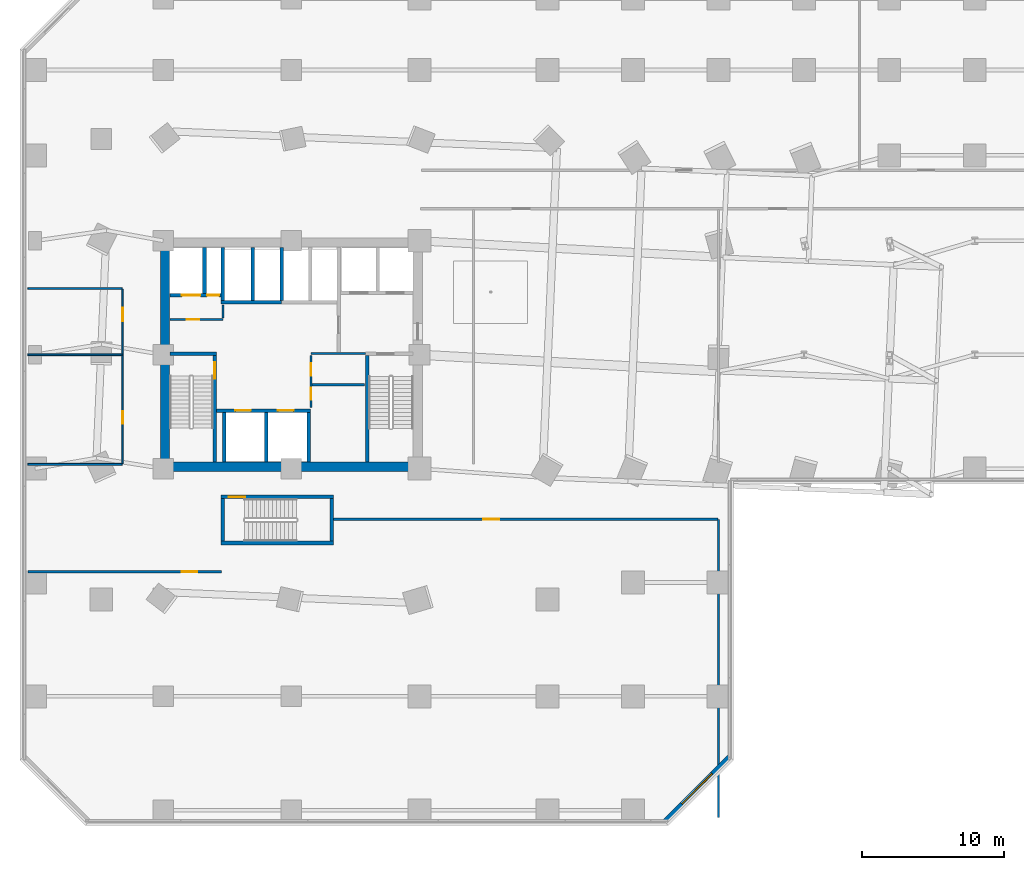
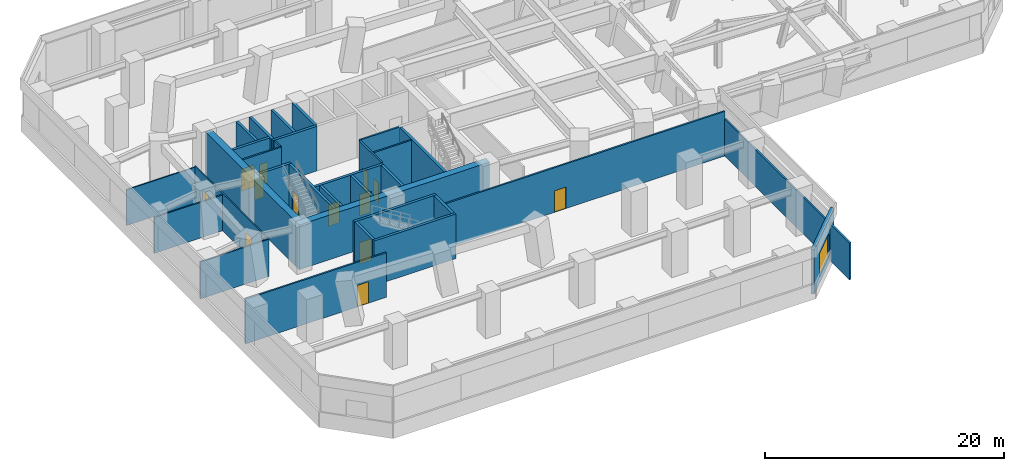
# One storey, part 4 of 14: 32 walls, 13 doors, 1 window, 14 openings.
"""IFC4 building model written with IfcOpenShell, lengths in metres."""

from ifc_helpers import new_model, si_unit, direction, frame, frame_2d, origin, place, context, subcontext, project, spatial, rectangle, extrude, source, transform, mapped, material, layer, layer_set, type_object, element, fill, save


model = new_model("IFC4")

# Units and contexts
model_context = context("Model", 3, precision=1e-05, world=origin(), true_north=direction((0.0, 1.0)))
body_context = subcontext(model_context, "Body", "Model", "MODEL_VIEW")
ifc_project = project(units=[si_unit("LENGTHUNIT", "METRE"), si_unit("AREAUNIT", "SQUARE_METRE"), si_unit("VOLUMEUNIT", "CUBIC_METRE"), si_unit("PLANEANGLEUNIT", "RADIAN"), si_unit("MASSUNIT", "GRAM", prefix="KILO")], contexts=[model_context])

# Site, building, storey
site_placement = place(None, origin())
site = spatial("IfcSite", under=ifc_project, at=site_placement, CompositionType="ELEMENT")
building_placement = place(site_placement, origin())
building = spatial("IfcBuilding", under=site, at=building_placement, Name="Torre Montelarca", CompositionType="ELEMENT")
storey_placement = place(building_placement, frame((0.0, 0.0, 28.0)))
storey = spatial("IfcBuildingStorey", under=building, at=storey_placement, Name="L06", CompositionType="ELEMENT", Elevation=28.0)

# Wall, opening, door
ifc_material_1 = material(Name="Concrete C40/50", Category="concrete")
ifc_layer_1 = layer(ifc_material_1, 0.25, Name="Concrete C40/50", Category="concrete")
ifc_layer_set_1 = layer_set([ifc_layer_1], Name="Concrete C40/50")
wall_type_1 = type_object("IfcWallType", Name="CW-SHAFT-250", PredefinedType="SHEAR", material=ifc_layer_set_1)
wall_1_placement = place(storey_placement, frame((12.625, 24.4599609375, 0.0), z_axis=(0.0, 0.0, 1.0), x_axis=(0.0, 1.0, 0.0)))
wall_1 = element("IfcWall", 1, at=wall_1_placement, inside=storey, type_object=wall_type_1, Name="L06 Core Shear Wall SH-ST1-E", PredefinedType="SHEAR", context=body_context, shape_type="SweptSolid", body=[
    extrude(rectangle(XDim=7.489990234375, YDim=0.25, at=frame_2d((3.7451171875, 0.0))), origin(), (0.0, 0.0, 1.0), 4.56005859375),
])
opening_1_placement = place(wall_1_placement, frame((5.85009765625, 0.0, 0.0)))
opening_1 = element("IfcOpeningElement", 2, at=opening_1_placement, cuts=wall_1, Name="Opening FD-ST1", PredefinedType="OPENING", context=body_context, shape_type="SweptSolid", body=[
    extrude(rectangle(XDim=1.14990234375, YDim=2.199951171875, at=frame_2d((0.574951171875, 1.10009765625))), frame((0.0, 0.135009765625, 0.0), z_axis=(0.0, -1.0, 0.0), x_axis=(1.0, 0.0, 0.0)), (0.0, 0.0, 1.0), 0.27001953125),
])
ifc_material_2 = material(Name="Galvanized steel fire door", Category="steel")
door_type_1 = type_object("IfcDoorType", Name="DR-STAIR-115", OperationType="NOTDEFINED", PredefinedType="DOOR", material=ifc_material_2)
shared_shape_1 = source(origin(), body_context, "Body", "SweptSolid", [
    extrude(rectangle(XDim=1.14990234375, YDim=2.199951171875, at=frame_2d((0.574951171875, 1.10009765625))), frame((0.0, 0.02490234375, 0.0), z_axis=(0.0, -1.0, 0.0), x_axis=(1.0, 0.0, 0.0)), (0.0, 0.0, 1.0), 0.050048828125),
])
door_1_placement = place(opening_1_placement, origin())
door_1 = element("IfcDoor", 3, at=door_1_placement, inside=storey, type_object=door_type_1, Name="L06 Exit Stair ST1 Fire Door", OperationType="SINGLE_SWING_RIGHT", OverallHeight=2.199951171875, OverallWidth=1.14990234375, PredefinedType="DOOR", context=body_context, shape_type="MappedRepresentation", body=[
    mapped(shared_shape_1, transform((0.0, 0.0, 0.0), scale=1.0)),
])
fill(opening_1, door_1)

# Walls
wall_2_placement = place(storey_placement, frame((9.4599609375, 32.074951171875, 0.0), z_axis=(0.0, 0.0, 1.0), x_axis=(1.0, 0.0, 0.0)))
element("IfcWall", 4, at=wall_2_placement, inside=storey, type_object=wall_type_1, Name="L06 Core Shear Wall SH-ST1-N", PredefinedType="SHEAR", context=body_context, shape_type="SweptSolid", body=[
    extrude(rectangle(XDim=3.2900390625, YDim=0.25, at=frame_2d((1.64501953125, 0.0))), origin(), (0.0, 0.0, 1.0), 4.56005859375),
])
wall_3_placement = place(storey_placement, frame((23.31494140625, 24.4599609375, 0.0), z_axis=(0.0, 0.0, 1.0), x_axis=(0.0, 1.0, 0.0)))
element("IfcWall", 5, at=wall_3_placement, inside=storey, type_object=wall_type_1, Name="L06 Core Shear Wall SH-ST2-W", PredefinedType="SHEAR", context=body_context, shape_type="SweptSolid", body=[
    extrude(rectangle(XDim=7.489990234375, YDim=0.25, at=frame_2d((3.7451171875, 0.0))), origin(), (0.0, 0.0, 1.0), 4.56005859375),
])

# Wall, openings, doors
wall_4_placement = place(storey_placement, frame((9.4599609375, 36.179931640625, 0.0), z_axis=(0.0, 0.0, 1.0), x_axis=(1.0, 0.0, 0.0)))
wall_4 = element("IfcWall", 6, at=wall_4_placement, inside=storey, type_object=wall_type_1, Name="L06 Core Shear Wall SH-SV1-S", PredefinedType="SHEAR", context=body_context, shape_type="SweptSolid", body=[
    extrude(rectangle(XDim=3.7900390625, YDim=0.25, at=frame_2d((1.89501953125, 0.0))), origin(), (0.0, 0.0, 1.0), 4.56005859375),
])
opening_2_placement = place(wall_4_placement, frame((2.6201171875, 0.0, 0.0)))
opening_2 = element("IfcOpeningElement", 7, at=opening_2_placement, cuts=wall_4, Name="Opening FD-085", PredefinedType="OPENING", context=body_context, shape_type="SweptSolid", body=[
    extrude(rectangle(XDim=0.85009765625, YDim=2.10009765625, at=frame_2d((0.425048828125, 1.050048828125))), frame((0.0, 0.135009765625, 0.0), z_axis=(0.0, -1.0, 0.0), x_axis=(1.0, 0.0, 0.0)), (0.0, 0.0, 1.0), 0.27001953125),
])
opening_3_placement = place(wall_4_placement, frame((0.85009765625, 0.0, 0.0)))
opening_3 = element("IfcOpeningElement", 8, at=opening_3_placement, cuts=wall_4, Name="Opening LD-130", PredefinedType="OPENING", context=body_context, shape_type="SweptSolid", body=[
    extrude(rectangle(XDim=1.300048828125, YDim=2.25, at=frame_2d((0.64990234375, 1.125))), frame((0.0, 0.135009765625, 0.0), z_axis=(0.0, -1.0, 0.0), x_axis=(1.0, 0.0, 0.0)), (0.0, 0.0, 1.0), 0.27001953125),
])
ifc_material_3 = material(Name="Steel riser access fire door", Category="steel")
door_type_2 = type_object("IfcDoorType", Name="DR-RISER-085", OperationType="NOTDEFINED", PredefinedType="DOOR", material=ifc_material_3)
shared_shape_2 = source(origin(), body_context, "Body", "SweptSolid", [
    extrude(rectangle(XDim=0.85009765625, YDim=2.10009765625, at=frame_2d((0.425048828125, 1.050048828125))), frame((0.0, 0.02490234375, 0.0), z_axis=(0.0, -1.0, 0.0), x_axis=(1.0, 0.0, 0.0)), (0.0, 0.0, 1.0), 0.050048828125),
])
door_2_placement = place(opening_2_placement, origin())
door_2 = element("IfcDoor", 9, at=door_2_placement, inside=storey, type_object=door_type_2, Name="L06 Electrical Riser Shaft Access Door", OperationType="SINGLE_SWING_RIGHT", OverallHeight=2.10009765625, OverallWidth=0.85009765625, PredefinedType="DOOR", context=body_context, shape_type="MappedRepresentation", body=[
    mapped(shared_shape_2, transform((0.0, 0.0, 0.0), scale=1.0)),
])
fill(opening_2, door_2)
ifc_material_4 = material(Name="Brushed stainless steel AISI 316", Category="steel")
door_type_3 = type_object("IfcDoorType", Name="DR-LIFT-130", OperationType="SLIDING_TO_LEFT", PredefinedType="DOOR", material=ifc_material_4)
shared_shape_3 = source(origin(), body_context, "Body", "SweptSolid", [
    extrude(rectangle(XDim=1.300048828125, YDim=2.25, at=frame_2d((0.64990234375, 1.125))), frame((0.0, 0.02490234375, 0.0), z_axis=(0.0, -1.0, 0.0), x_axis=(1.0, 0.0, 0.0)), (0.0, 0.0, 1.0), 0.050048828125),
])
door_3_placement = place(opening_3_placement, origin())
door_3 = element("IfcDoor", 10, at=door_3_placement, inside=storey, type_object=door_type_3, Name="L06 Lift Landing Sliding Door SV-1", OperationType="SLIDING_TO_LEFT", OverallHeight=2.25, OverallWidth=1.300048828125, PredefinedType="DOOR", context=body_context, shape_type="MappedRepresentation", body=[
    mapped(shared_shape_3, transform((0.0, 0.0, 0.0), scale=1.0)),
])
fill(opening_3, door_3)

# Wall
wall_5_placement = place(storey_placement, frame((11.89990234375, 36.31005859375, 0.0), z_axis=(0.0, 0.0, 1.0), x_axis=(0.0, 1.0, 0.0)))
element("IfcWall", 11, at=wall_5_placement, inside=storey, type_object=wall_type_1, Name="L06 Core Shear Wall SH-SV1-E", PredefinedType="SHEAR", context=body_context, shape_type="SweptSolid", body=[
    extrude(rectangle(XDim=3.22998046875, YDim=0.25, at=frame_2d((1.614990234375, 0.0))), origin(), (0.0, 0.0, 1.0), 4.56005859375),
])

# Wall, openings, doors
wall_6_placement = place(storey_placement, frame((12.6298828125, 28.080078125, 0.0), z_axis=(0.0, 0.0, 1.0), x_axis=(1.0, 0.0, 0.0)))
wall_6 = element("IfcWall", 12, at=wall_6_placement, inside=storey, type_object=wall_type_1, Name="L06 Core Shear Wall SH-PLL-N", PredefinedType="SHEAR", context=body_context, shape_type="SweptSolid", body=[
    extrude(rectangle(XDim=6.710205078125, YDim=0.25, at=frame_2d((3.35498046875, 0.0))), origin(), (0.0, 0.0, 1.0), 4.56005859375),
])
opening_4_placement = place(wall_6_placement, frame((1.429931640625, 0.0, 0.0)))
opening_4 = element("IfcOpeningElement", 13, at=opening_4_placement, cuts=wall_6, Name="Opening LD-110", PredefinedType="OPENING", context=body_context, shape_type="SweptSolid", body=[
    extrude(rectangle(XDim=1.10009765625, YDim=2.199951171875, at=frame_2d((0.550048828125, 1.10009765625))), frame((0.0, 0.135009765625, 0.0), z_axis=(0.0, -1.0, 0.0), x_axis=(1.0, 0.0, 0.0)), (0.0, 0.0, 1.0), 0.27001953125),
])
opening_5_placement = place(wall_6_placement, frame((4.429931640625, 0.0, 0.0)))
opening_5 = element("IfcOpeningElement", 14, at=opening_5_placement, cuts=wall_6, Name="Opening LD-110", PredefinedType="OPENING", context=body_context, shape_type="SweptSolid", body=[
    extrude(rectangle(XDim=1.10009765625, YDim=2.199951171875, at=frame_2d((0.550048828125, 1.10009765625))), frame((0.0, 0.135009765625, 0.0), z_axis=(0.0, -1.0, 0.0), x_axis=(1.0, 0.0, 0.0)), (0.0, 0.0, 1.0), 0.27001953125),
])
door_type_4 = type_object("IfcDoorType", Name="DR-LIFT-110", OperationType="SLIDING_TO_LEFT", PredefinedType="DOOR", material=ifc_material_4)
shared_shape_4 = source(origin(), body_context, "Body", "SweptSolid", [
    extrude(rectangle(XDim=1.10009765625, YDim=2.199951171875, at=frame_2d((0.550048828125, 1.10009765625))), frame((0.0, 0.02490234375, 0.0), z_axis=(0.0, -1.0, 0.0), x_axis=(1.0, 0.0, 0.0)), (0.0, 0.0, 1.0), 0.050048828125),
])
door_4_placement = place(opening_4_placement, origin())
door_4 = element("IfcDoor", 15, at=door_4_placement, inside=storey, type_object=door_type_4, Name="L06 Lift Landing Sliding Door PL-L1", OperationType="SLIDING_TO_LEFT", OverallHeight=2.199951171875, OverallWidth=1.10009765625, PredefinedType="DOOR", context=body_context, shape_type="MappedRepresentation", body=[
    mapped(shared_shape_4, transform((0.0, 0.0, 0.0), scale=1.0)),
])
fill(opening_4, door_4)
door_5_placement = place(opening_5_placement, origin())
door_5 = element("IfcDoor", 16, at=door_5_placement, inside=storey, type_object=door_type_4, Name="L06 Lift Landing Sliding Door PL-L2", OperationType="SLIDING_TO_RIGHT", OverallHeight=2.199951171875, OverallWidth=1.10009765625, PredefinedType="DOOR", context=body_context, shape_type="MappedRepresentation", body=[
    mapped(shared_shape_4, transform((0.0, 0.0, 0.0), scale=1.0)),
])
fill(opening_5, door_5)

# Walls
for number, where, z_axis, x_axis, name in (
    (17, (13.280029296875, 24.4599609375, 0.0), (0.0, 0.0, 1.0), (0.0, 1.0, 0.0), "L06 Core Shear Wall SH-PLL-W"),
    (18, (16.25, 24.4599609375, 0.0), (0.0, 0.0, 1.0), (0.0, 1.0, 0.0), "L06 Core Shear Wall SH-PLL-M"),
    (19, (19.219970703125, 24.4599609375, 0.0), (0.0, 0.0, 1.0), (0.0, 1.0, 0.0), "L06 Core Shear Wall SH-PLL-E"),
):
    element("IfcWall", number, at=place(storey_placement, frame(where, z_axis=z_axis, x_axis=x_axis)), inside=storey, type_object=wall_type_1, Name=name, PredefinedType="SHEAR", context=body_context, shape_type="SweptSolid", body=[
        extrude(rectangle(XDim=3.489990234375, YDim=0.25, at=frame_2d((1.7451171875, 0.0))), origin(), (0.0, 0.0, 1.0), 4.56005859375),
    ])
wall_7_placement = place(storey_placement, frame((13.06005859375, 35.679931640625, 0.0), z_axis=(0.0, 0.0, 1.0), x_axis=(1.0, 0.0, 0.0)))
element("IfcWall", 20, at=wall_7_placement, inside=storey, type_object=wall_type_1, Name="L06 Core Shear Wall SH-PLM-S", PredefinedType="SHEAR", context=body_context, shape_type="SweptSolid", body=[
    extrude(rectangle(XDim=4.25, YDim=0.25, at=frame_2d((2.125, 0.0))), origin(), (0.0, 0.0, 1.0), 4.56005859375),
])
for number, where, z_axis, x_axis, name in (
    (21, (13.179931640625, 35.81005859375, 0.0), (0.0, 0.0, 1.0), (0.0, 1.0, 0.0), "L06 Core Shear Wall SH-PLM-W"),
    (22, (15.280029296875, 35.81005859375, 0.0), (0.0, 0.0, 1.0), (0.0, 1.0, 0.0), "L06 Core Shear Wall SH-PLM-M"),
    (23, (17.320068359375, 35.81005859375, 0.0), (0.0, 0.0, 1.0), (0.0, 1.0, 0.0), "L06 Core Shear Wall SH-PLH-W"),
):
    element("IfcWall", number, at=place(storey_placement, frame(where, z_axis=z_axis, x_axis=x_axis)), inside=storey, type_object=wall_type_1, Name=name, PredefinedType="SHEAR", context=body_context, shape_type="SweptSolid", body=[
        extrude(rectangle(XDim=3.72998046875, YDim=0.25, at=frame_2d((1.864990234375, 0.0))), origin(), (0.0, 0.0, 1.0), 4.56005859375),
    ])
for number, where, z_axis, x_axis, name in (
    (24, (13.175048828125, 18.89990234375, 0.0), (0.0, 0.0, 1.0), (0.0, 1.0, 0.0), "L06 Core Shear Wall SH-ST3-W"),
    (25, (20.824951171875, 18.89990234375, 0.0), (0.0, 0.0, 1.0), (0.0, 1.0, 0.0), "L06 Core Shear Wall SH-ST3-E"),
):
    element("IfcWall", number, at=place(storey_placement, frame(where, z_axis=z_axis, x_axis=x_axis)), inside=storey, type_object=wall_type_1, Name=name, PredefinedType="SHEAR", context=body_context, shape_type="SweptSolid", body=[
        extrude(rectangle(XDim=2.989990234375, YDim=0.25, at=frame_2d((1.4951171875, 0.0))), origin(), (0.0, 0.0, 1.0), 4.56005859375),
    ])
wall_8_placement = place(storey_placement, frame((13.050048828125, 18.77490234375, 0.0), z_axis=(0.0, 0.0, 1.0), x_axis=(1.0, 0.0, 0.0)))
element("IfcWall", 26, at=wall_8_placement, inside=storey, type_object=wall_type_1, Name="L06 Core Shear Wall SH-ST3-S", PredefinedType="SHEAR", context=body_context, shape_type="SweptSolid", body=[
    extrude(rectangle(XDim=7.89990234375, YDim=0.25, at=frame_2d((3.949951171875, 0.0))), origin(), (0.0, 0.0, 1.0), 4.56005859375),
])

# Wall, opening, door
wall_9_placement = place(storey_placement, frame((13.050048828125, 22.014892578125, 0.0), z_axis=(0.0, 0.0, 1.0), x_axis=(1.0, 0.0, 0.0)))
wall_9 = element("IfcWall", 27, at=wall_9_placement, inside=storey, type_object=wall_type_1, Name="L06 Core Shear Wall SH-ST3-N", PredefinedType="SHEAR", context=body_context, shape_type="SweptSolid", body=[
    extrude(rectangle(XDim=7.89990234375, YDim=0.25, at=frame_2d((3.949951171875, 0.0))), origin(), (0.0, 0.0, 1.0), 4.56005859375),
])
opening_6_placement = place(wall_9_placement, frame((0.550048828125, 0.0, 0.0)))
opening_6 = element("IfcOpeningElement", 28, at=opening_6_placement, cuts=wall_9, Name="Opening FD-ST1", PredefinedType="OPENING", context=body_context, shape_type="SweptSolid", body=[
    extrude(rectangle(XDim=1.14990234375, YDim=2.199951171875, at=frame_2d((0.574951171875, 1.10009765625))), frame((0.0, 0.135009765625, 0.0), z_axis=(0.0, -1.0, 0.0), x_axis=(1.0, 0.0, 0.0)), (0.0, 0.0, 1.0), 0.27001953125),
])
door_6_placement = place(opening_6_placement, origin())
door_6 = element("IfcDoor", 29, at=door_6_placement, inside=storey, type_object=door_type_1, Name="L06 Exit Stair ST3 Fire Door", OperationType="SINGLE_SWING_LEFT", OverallHeight=2.199951171875, OverallWidth=1.14990234375, PredefinedType="DOOR", context=body_context, shape_type="MappedRepresentation", body=[
    mapped(shared_shape_1, transform((0.0, 0.0, 0.0), scale=1.0)),
])
fill(opening_6, door_6)

# Walls
ifc_material_5 = material(Name="Concrete C70/85", Category="concrete")
ifc_layer_2 = layer(ifc_material_5, 0.64990234375, Name="Concrete C70/85", Category="concrete")
ifc_layer_set_2 = layer_set([ifc_layer_2], Name="Concrete C70/85")
wall_type_2 = type_object("IfcWallType", Name="CW-SHEAR-650", PredefinedType="SHEAR", material=ifc_layer_set_2)
wall_10_placement = place(storey_placement, frame((9.125, 24.449951171875, 0.0), z_axis=(0.0, 0.0, 1.0), x_axis=(0.0, 1.0, 0.0)))
element("IfcWall", 30, at=wall_10_placement, inside=storey, type_object=wall_type_2, Name="L06 Core Shear Wall CW-W", PredefinedType="SHEAR", context=body_context, shape_type="SweptSolid", body=[
    extrude(rectangle(XDim=15.10009765625, YDim=0.64990234375, at=frame_2d((7.550048828125, 0.0))), origin(), (0.0, 0.0, 1.0), 4.56005859375),
])
wall_11_placement = place(storey_placement, frame((8.800048828125, 24.125, 0.0), z_axis=(0.0, 0.0, 1.0), x_axis=(1.0, 0.0, 0.0)))
element("IfcWall", 31, at=wall_11_placement, inside=storey, type_object=wall_type_2, Name="L06 Core Shear Wall CW-S1", PredefinedType="SHEAR", context=body_context, shape_type="SweptSolid", body=[
    extrude(rectangle(XDim=18.39990234375, YDim=0.64990234375, at=frame_2d((9.199951171875, 0.0))), origin(), (0.0, 0.0, 1.0), 4.56005859375),
])

# Wall, opening, window
ifc_material_6 = material(Name="Precast concrete C45/55", Category="concrete")
ifc_layer_3 = layer(ifc_material_6, 0.320068359375, Name="Precast concrete C45/55", Category="concrete")
ifc_layer_set_3 = layer_set([ifc_layer_3], Name="Precast concrete C45/55")
wall_type_3 = type_object("IfcWallType", Name="EW-CONC-320", PredefinedType="SOLIDWALL", material=ifc_layer_set_3)
wall_12_placement = place(storey_placement, frame((44.244384765625, -0.744384765625, 0.0), z_axis=(0.0, 0.0, 1.0), x_axis=(0.707106781187, 0.707106781187, 0.0)))
wall_12 = element("IfcWall", 32, at=wall_12_placement, inside=storey, type_object=wall_type_3, Name="L06 Podium Precast Concrete Wall E02", PredefinedType="SOLIDWALL", context=body_context, shape_type="SweptSolid", body=[
    extrude(rectangle(XDim=6.364013671875, YDim=0.320068359375, at=frame_2d((3.18212890625, 0.0))), origin(), (0.0, 0.0, 1.0), 4.56005859375),
])
opening_7_placement = place(wall_12_placement, frame((1.681884765625, 0.0, 0.64990234375)))
opening_7 = element("IfcOpeningElement", 33, at=opening_7_placement, cuts=wall_12, Name="Opening W-05", PredefinedType="OPENING", context=body_context, shape_type="SweptSolid", body=[
    extrude(rectangle(XDim=3.0, YDim=2.39990234375, at=frame_2d((1.5, 1.199951171875))), frame((0.0, 0.169921875, 0.0), z_axis=(0.0, -1.0, 0.0), x_axis=(1.0, 0.0, 0.0)), (0.0, 0.0, 1.0), 0.340087890625),
])
ifc_material_7 = material(Name="Insulated low-E laminated glass in aluminium frame", Category="aluminium")
window_type = type_object("IfcWindowType", Name="WIN-W05", PartitioningType="TRIPLE_PANEL_VERTICAL", PredefinedType="WINDOW", material=ifc_material_7)
shared_shape_5 = source(origin(), body_context, "Body", "SweptSolid", [
    extrude(rectangle(XDim=3.0, YDim=2.39990234375, at=frame_2d((1.5, 1.199951171875))), frame((0.0, 0.030029296875, 0.0), z_axis=(0.0, -1.0, 0.0), x_axis=(1.0, 0.0, 0.0)), (0.0, 0.0, 1.0), 0.06005859375),
])
window_placement = place(opening_7_placement, origin())
window = element("IfcWindow", 34, at=window_placement, inside=storey, type_object=window_type, Name="L06 Podium Chamfer Feature Window E02", OverallHeight=2.39990234375, OverallWidth=3.0, PartitioningType="TRIPLE_PANEL_VERTICAL", PredefinedType="WINDOW", context=body_context, shape_type="MappedRepresentation", body=[
    mapped(shared_shape_5, transform((0.0, 0.0, 0.0), scale=1.0)),
])
fill(opening_7, window)

# Wall, opening, door
ifc_material_8 = material(Name="Gypsum plasterboard on steel stud", Category="steel")
ifc_layer_4 = layer(ifc_material_8, 0.159912109375, Name="Gypsum plasterboard on steel stud", Category="steel")
ifc_layer_set_4 = layer_set([ifc_layer_4], Name="Gypsum plasterboard on steel stud")
wall_type_4 = type_object("IfcWallType", Name="PW-FIRE-160", PredefinedType="PARTITIONING", material=ifc_layer_set_4)
wall_13_placement = place(storey_placement, frame((9.489990234375, 34.47998046875, 0.0), z_axis=(0.0, 0.0, 1.0), x_axis=(1.0, 0.0, 0.0)))
wall_13 = element("IfcWall", 35, at=wall_13_placement, inside=storey, type_object=wall_type_4, Name="L06 Interior Partition CW-L06-SVS", PredefinedType="PARTITIONING", context=body_context, shape_type="SweptSolid", body=[
    extrude(rectangle(XDim=3.699951171875, YDim=0.159912109375, at=frame_2d((1.85009765625, 0.0))), origin(), (0.0, 0.0, 1.0), 4.56005859375),
])
opening_8_placement = place(wall_13_placement, frame((1.14990234375, 0.0, 0.0)))
opening_8 = element("IfcOpeningElement", 36, at=opening_8_placement, cuts=wall_13, Name="Opening FD-090", PredefinedType="OPENING", context=body_context, shape_type="SweptSolid", body=[
    extrude(rectangle(XDim=0.89990234375, YDim=2.14990234375, at=frame_2d((0.449951171875, 1.074951171875))), frame((0.0, 0.08984375, 0.0), z_axis=(0.0, -1.0, 0.0), x_axis=(1.0, 0.0, 0.0)), (0.0, 0.0, 1.0), 0.179931640625),
])
ifc_material_9 = material(Name="Steel service fire door", Category="steel")
door_type_5 = type_object("IfcDoorType", Name="DR-FIRE-090", OperationType="NOTDEFINED", PredefinedType="DOOR", material=ifc_material_9)
shared_shape_6 = source(origin(), body_context, "Body", "SweptSolid", [
    extrude(rectangle(XDim=0.89990234375, YDim=2.14990234375, at=frame_2d((0.449951171875, 1.074951171875))), frame((0.0, 0.02490234375, 0.0), z_axis=(0.0, -1.0, 0.0), x_axis=(1.0, 0.0, 0.0)), (0.0, 0.0, 1.0), 0.050048828125),
])
door_7_placement = place(opening_8_placement, origin())
door_7 = element("IfcDoor", 37, at=door_7_placement, inside=storey, type_object=door_type_5, Name="L06 Interior Door 01", OperationType="SINGLE_SWING_RIGHT", OverallHeight=2.14990234375, OverallWidth=0.89990234375, PredefinedType="DOOR", context=body_context, shape_type="MappedRepresentation", body=[
    mapped(shared_shape_6, transform((0.0, 0.0, 0.0), scale=1.0)),
])
fill(opening_8, door_7)

# Walls
wall_14_placement = place(storey_placement, frame((13.199951171875, 34.570068359375, 0.0), z_axis=(0.0, 0.0, 1.0), x_axis=(0.0, 1.0, 0.0)))
element("IfcWall", 38, at=wall_14_placement, inside=storey, type_object=wall_type_4, Name="L06 Interior Partition CW-L06-SVE", PredefinedType="PARTITIONING", context=body_context, shape_type="SweptSolid", body=[
    extrude(rectangle(XDim=0.93994140625, YDim=0.159912109375, at=frame_2d((0.469970703125, 0.0))), origin(), (0.0, 0.0, 1.0), 4.56005859375),
])
wall_15_placement = place(storey_placement, frame((19.389892578125, 32.080078125, 0.0), z_axis=(0.0, 0.0, 1.0), x_axis=(1.0, 0.0, 0.0)))
element("IfcWall", 39, at=wall_15_placement, inside=storey, type_object=wall_type_4, Name="L06 Interior Partition CW-L06-SEN", PredefinedType="PARTITIONING", context=body_context, shape_type="SweptSolid", body=[
    extrude(rectangle(XDim=3.820068359375, YDim=0.159912109375, at=frame_2d((1.91015625, 0.0))), origin(), (0.0, 0.0, 1.0), 4.56005859375),
])

# Wall, openings, doors
wall_16_placement = place(storey_placement, frame((19.3798828125, 28.2900390625, 0.0), z_axis=(0.0, 0.0, 1.0), x_axis=(0.0, 1.0, 0.0)))
wall_16 = element("IfcWall", 40, at=wall_16_placement, inside=storey, type_object=wall_type_4, Name="L06 Interior Partition CW-L06-SEW", PredefinedType="PARTITIONING", context=body_context, shape_type="SweptSolid", body=[
    extrude(rectangle(XDim=3.669921875, YDim=0.159912109375, at=frame_2d((1.8349609375, 0.0))), origin(), (0.0, 0.0, 1.0), 4.56005859375),
])
opening_9_placement = place(wall_16_placement, frame((0.550048828125, 0.0, 0.0)))
opening_9 = element("IfcOpeningElement", 41, at=opening_9_placement, cuts=wall_16, Name="Opening FD-085", PredefinedType="OPENING", context=body_context, shape_type="SweptSolid", body=[
    extrude(rectangle(XDim=0.85009765625, YDim=2.10009765625, at=frame_2d((0.425048828125, 1.050048828125))), frame((0.0, 0.08984375, 0.0), z_axis=(0.0, -1.0, 0.0), x_axis=(1.0, 0.0, 0.0)), (0.0, 0.0, 1.0), 0.179931640625),
])
opening_10_placement = place(wall_16_placement, frame((2.25, 0.0, 0.0)))
opening_10 = element("IfcOpeningElement", 42, at=opening_10_placement, cuts=wall_16, Name="Opening FD-085", PredefinedType="OPENING", context=body_context, shape_type="SweptSolid", body=[
    extrude(rectangle(XDim=0.85009765625, YDim=2.10009765625, at=frame_2d((0.425048828125, 1.050048828125))), frame((0.0, 0.08984375, 0.0), z_axis=(0.0, -1.0, 0.0), x_axis=(1.0, 0.0, 0.0)), (0.0, 0.0, 1.0), 0.179931640625),
])
door_8_placement = place(opening_9_placement, origin())
door_8 = element("IfcDoor", 43, at=door_8_placement, inside=storey, type_object=door_type_2, Name="L06 Interior Door 02", OperationType="SINGLE_SWING_LEFT", OverallHeight=2.10009765625, OverallWidth=0.85009765625, PredefinedType="DOOR", context=body_context, shape_type="MappedRepresentation", body=[
    mapped(shared_shape_2, transform((0.0, 0.0, 0.0), scale=1.0)),
])
fill(opening_9, door_8)
door_9_placement = place(opening_10_placement, origin())
door_9 = element("IfcDoor", 44, at=door_9_placement, inside=storey, type_object=door_type_2, Name="L06 Interior Door 03", OperationType="SINGLE_SWING_RIGHT", OverallHeight=2.10009765625, OverallWidth=0.85009765625, PredefinedType="DOOR", context=body_context, shape_type="MappedRepresentation", body=[
    mapped(shared_shape_2, transform((0.0, 0.0, 0.0), scale=1.0)),
])
fill(opening_10, door_9)

# Wall
wall_17_placement = place(storey_placement, frame((19.419921875, 29.89990234375, 0.0), z_axis=(0.0, 0.0, 1.0), x_axis=(1.0, 0.0, 0.0)))
element("IfcWall", 45, at=wall_17_placement, inside=storey, type_object=wall_type_4, Name="L06 Interior Partition CW-L06-SEM", PredefinedType="PARTITIONING", context=body_context, shape_type="SweptSolid", body=[
    extrude(rectangle(XDim=3.719970703125, YDim=0.159912109375, at=frame_2d((1.85986328125, 0.0))), origin(), (0.0, 0.0, 1.0), 4.56005859375),
])

# Wall, opening, door
wall_18_placement = place(storey_placement, frame((-0.510009765625, 16.75, 0.0), z_axis=(0.0, 0.0, 1.0), x_axis=(1.0, 0.0, 0.0)))
wall_18 = element("IfcWall", 46, at=wall_18_placement, inside=storey, type_object=wall_type_4, Name="L06 Interior Partition W-L06-CSW", PredefinedType="PARTITIONING", context=body_context, shape_type="SweptSolid", body=[
    extrude(rectangle(XDim=13.6201171875, YDim=0.159912109375, at=frame_2d((6.81005859375, 0.0))), origin(), (0.0, 0.0, 1.0), 4.56005859375),
])
opening_11_placement = place(wall_18_placement, frame((10.800048828125, 0.0, 0.0)))
opening_11 = element("IfcOpeningElement", 47, at=opening_11_placement, cuts=wall_18, Name="Opening FD-110", PredefinedType="OPENING", context=body_context, shape_type="SweptSolid", body=[
    extrude(rectangle(XDim=1.10009765625, YDim=2.199951171875, at=frame_2d((0.550048828125, 1.10009765625))), frame((0.0, 0.08984375, 0.0), z_axis=(0.0, -1.0, 0.0), x_axis=(1.0, 0.0, 0.0)), (0.0, 0.0, 1.0), 0.179931640625),
])
ifc_material_10 = material(Name="Timber fire-rated suite door", Category="wood")
door_type_6 = type_object("IfcDoorType", Name="DR-FIRE-110", OperationType="NOTDEFINED", PredefinedType="DOOR", material=ifc_material_10)
shared_shape_7 = source(origin(), body_context, "Body", "SweptSolid", [
    extrude(rectangle(XDim=1.10009765625, YDim=2.199951171875, at=frame_2d((0.550048828125, 1.10009765625))), frame((0.0, 0.02490234375, 0.0), z_axis=(0.0, -1.0, 0.0), x_axis=(1.0, 0.0, 0.0)), (0.0, 0.0, 1.0), 0.050048828125),
])
door_10_placement = place(opening_11_placement, origin())
door_10 = element("IfcDoor", 48, at=door_10_placement, inside=storey, type_object=door_type_6, Name="L06 Interior Door 06", OperationType="SINGLE_SWING_LEFT", OverallHeight=2.199951171875, OverallWidth=1.10009765625, PredefinedType="DOOR", context=body_context, shape_type="MappedRepresentation", body=[
    mapped(shared_shape_7, transform((0.0, 0.0, 0.0), scale=1.0)),
])
fill(opening_11, door_10)

wall_19_placement = place(storey_placement, frame((20.889892578125, 20.449951171875, 0.0), z_axis=(0.0, 0.0, 1.0), x_axis=(1.0, 0.0, 0.0)))
wall_19 = element("IfcWall", 49, at=wall_19_placement, inside=storey, type_object=wall_type_4, Name="L06 Interior Partition W-L06-CSE", PredefinedType="PARTITIONING", context=body_context, shape_type="SweptSolid", body=[
    extrude(rectangle(XDim=27.070068359375, YDim=0.159912109375, at=frame_2d((13.53515625, 0.0))), origin(), (0.0, 0.0, 1.0), 4.56005859375),
])
opening_12_placement = place(wall_19_placement, frame((10.60009765625, 0.0, 0.0)))
opening_12 = element("IfcOpeningElement", 50, at=opening_12_placement, cuts=wall_19, Name="Opening FD-110", PredefinedType="OPENING", context=body_context, shape_type="SweptSolid", body=[
    extrude(rectangle(XDim=1.10009765625, YDim=2.199951171875, at=frame_2d((0.550048828125, 1.10009765625))), frame((0.0, 0.08984375, 0.0), z_axis=(0.0, -1.0, 0.0), x_axis=(1.0, 0.0, 0.0)), (0.0, 0.0, 1.0), 0.179931640625),
])
door_11_placement = place(opening_12_placement, origin())
door_11 = element("IfcDoor", 51, at=door_11_placement, inside=storey, type_object=door_type_6, Name="L06 Interior Door 07", OperationType="SINGLE_SWING_RIGHT", OverallHeight=2.199951171875, OverallWidth=1.10009765625, PredefinedType="DOOR", context=body_context, shape_type="MappedRepresentation", body=[
    mapped(shared_shape_7, transform((0.0, 0.0, 0.0), scale=1.0)),
])
fill(opening_12, door_11)

# Walls
wall_20_placement = place(storey_placement, frame((48.0, -0.510009765625, 0.0), z_axis=(0.0, 0.0, 1.0), x_axis=(0.0, 1.0, 0.0)))
element("IfcWall", 52, at=wall_20_placement, inside=storey, type_object=wall_type_4, Name="L06 Interior Partition W-L06-CSES", PredefinedType="PARTITIONING", context=body_context, shape_type="SweptSolid", body=[
    extrude(rectangle(XDim=20.919921875, YDim=0.159912109375, at=frame_2d((10.4599609375, 0.0))), origin(), (0.0, 0.0, 1.0), 3.79248046875),
])
ifc_layer_5 = layer(ifc_material_8, 0.114990234375, Name="Gypsum plasterboard on steel stud", Category="steel")
ifc_layer_set_5 = layer_set([ifc_layer_5], Name="Gypsum plasterboard on steel stud")
wall_type_5 = type_object("IfcWallType", Name="PW-PART-115", PredefinedType="PARTITIONING", material=ifc_layer_set_5)
wall_21_placement = place(storey_placement, frame((-0.510009765625, 36.64990234375, 0.0), z_axis=(0.0, 0.0, 1.0), x_axis=(1.0, 0.0, 0.0)))
element("IfcWall", 53, at=wall_21_placement, inside=storey, type_object=wall_type_5, Name="L06 Interior Partition W-L06-WCN", PredefinedType="PARTITIONING", context=body_context, shape_type="SweptSolid", body=[
    extrude(rectangle(XDim=6.6201171875, YDim=0.114990234375, at=frame_2d((3.31005859375, 0.0))), origin(), (0.0, 0.0, 1.0), 3.655029296875),
])

# Wall, openings, doors
wall_22_placement = place(storey_placement, frame((6.14990234375, 24.340087890625, 0.0), z_axis=(0.0, 0.0, 1.0), x_axis=(0.0, 1.0, 0.0)))
wall_22 = element("IfcWall", 54, at=wall_22_placement, inside=storey, type_object=wall_type_5, Name="L06 Interior Partition W-L06-WCE", PredefinedType="PARTITIONING", context=body_context, shape_type="SweptSolid", body=[
    extrude(rectangle(XDim=12.27001953125, YDim=0.114990234375, at=frame_2d((6.135009765625, 0.0))), origin(), (0.0, 0.0, 1.0), 3.79248046875),
])
opening_13_placement = place(wall_22_placement, frame((2.800048828125, 0.0, 0.0)))
opening_13 = element("IfcOpeningElement", 55, at=opening_13_placement, cuts=wall_22, Name="Opening ID-090", PredefinedType="OPENING", context=body_context, shape_type="SweptSolid", body=[
    extrude(rectangle(XDim=0.89990234375, YDim=2.14990234375, at=frame_2d((0.449951171875, 1.074951171875))), frame((0.0, 0.0673828125, 0.0), z_axis=(0.0, -1.0, 0.0), x_axis=(1.0, 0.0, 0.0)), (0.0, 0.0, 1.0), 0.135009765625),
])
opening_14_placement = place(wall_22_placement, frame((10.0, 0.0, 0.0)))
opening_14 = element("IfcOpeningElement", 56, at=opening_14_placement, cuts=wall_22, Name="Opening ID-095", PredefinedType="OPENING", context=body_context, shape_type="SweptSolid", body=[
    extrude(rectangle(XDim=0.949951171875, YDim=2.14990234375, at=frame_2d((0.47509765625, 1.074951171875))), frame((0.0, 0.0673828125, 0.0), z_axis=(0.0, -1.0, 0.0), x_axis=(1.0, 0.0, 0.0)), (0.0, 0.0, 1.0), 0.135009765625),
])
ifc_material_11 = material(Name="Hardwood acoustic timber veneer", Category="wood")
door_type_7 = type_object("IfcDoorType", Name="DR-INT-090", OperationType="NOTDEFINED", PredefinedType="DOOR", material=ifc_material_11)
shared_shape_8 = source(origin(), body_context, "Body", "SweptSolid", [
    extrude(rectangle(XDim=0.89990234375, YDim=2.14990234375, at=frame_2d((0.449951171875, 1.074951171875))), frame((0.0, 0.02490234375, 0.0), z_axis=(0.0, -1.0, 0.0), x_axis=(1.0, 0.0, 0.0)), (0.0, 0.0, 1.0), 0.050048828125),
])
door_12_placement = place(opening_13_placement, origin())
door_12 = element("IfcDoor", 57, at=door_12_placement, inside=storey, type_object=door_type_7, Name="L06 Interior Door 04", OperationType="SINGLE_SWING_LEFT", OverallHeight=2.14990234375, OverallWidth=0.89990234375, PredefinedType="DOOR", context=body_context, shape_type="MappedRepresentation", body=[
    mapped(shared_shape_8, transform((0.0, 0.0, 0.0), scale=1.0)),
])
fill(opening_13, door_12)
door_type_8 = type_object("IfcDoorType", Name="DR-INT-095", OperationType="NOTDEFINED", PredefinedType="DOOR", material=ifc_material_11)
shared_shape_9 = source(origin(), body_context, "Body", "SweptSolid", [
    extrude(rectangle(XDim=0.949951171875, YDim=2.14990234375, at=frame_2d((0.47509765625, 1.074951171875))), frame((0.0, 0.02490234375, 0.0), z_axis=(0.0, -1.0, 0.0), x_axis=(1.0, 0.0, 0.0)), (0.0, 0.0, 1.0), 0.050048828125),
])
door_13_placement = place(opening_14_placement, origin())
door_13 = element("IfcDoor", 58, at=door_13_placement, inside=storey, type_object=door_type_8, Name="L06 Interior Door 05", OperationType="SINGLE_SWING_RIGHT", OverallHeight=2.14990234375, OverallWidth=0.949951171875, PredefinedType="DOOR", context=body_context, shape_type="MappedRepresentation", body=[
    mapped(shared_shape_9, transform((0.0, 0.0, 0.0), scale=1.0)),
])
fill(opening_14, door_13)

# Walls
ifc_layer_6 = layer(ifc_material_8, 0.135009765625, Name="Gypsum plasterboard on steel stud", Category="steel")
ifc_layer_set_6 = layer_set([ifc_layer_6], Name="Gypsum plasterboard on steel stud")
wall_type_6 = type_object("IfcWallType", Name="PW-PART-135", PredefinedType="PARTITIONING", material=ifc_layer_set_6)
wall_23_placement = place(storey_placement, frame((-0.510009765625, 24.300048828125, 0.0), z_axis=(0.0, 0.0, 1.0), x_axis=(1.0, 0.0, 0.0)))
element("IfcWall", 59, at=wall_23_placement, inside=storey, type_object=wall_type_6, Name="L06 Interior Partition W-L06-WCS", PredefinedType="PARTITIONING", context=body_context, shape_type="SweptSolid", body=[
    extrude(rectangle(XDim=6.6201171875, YDim=0.135009765625, at=frame_2d((3.31005859375, 0.0))), origin(), (0.0, 0.0, 1.0), 3.79248046875),
])
wall_24_placement = place(storey_placement, frame((-0.510009765625, 32.0, 0.0), z_axis=(0.0, 0.0, 1.0), x_axis=(1.0, 0.0, 0.0)))
element("IfcWall", 60, at=wall_24_placement, inside=storey, type_object=wall_type_6, Name="L06 Interior Partition W-L06-WC1", PredefinedType="PARTITIONING", context=body_context, shape_type="SweptSolid", body=[
    extrude(rectangle(XDim=6.6201171875, YDim=0.135009765625, at=frame_2d((3.31005859375, 0.0))), origin(), (0.0, 0.0, 1.0), 3.655029296875),
])

save(model, "model.ifc")
